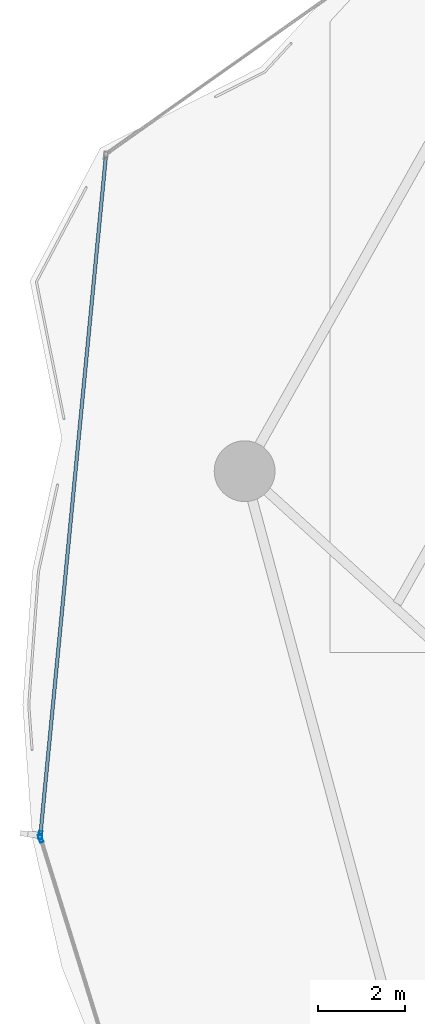
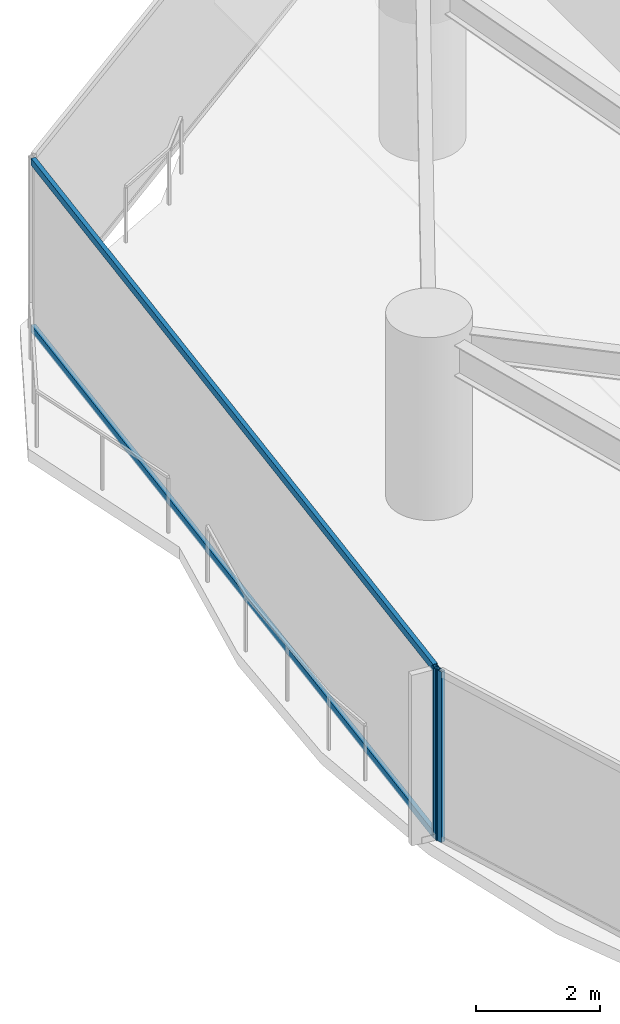
# One storey, part 8 of 31: 4 members, 2 elements without a shape of their own.
"""IFC4 building model written with IfcOpenShell, lengths in metres."""

from ifc_helpers import new_model, si_unit, direction, frame, origin, origin_2d, place, context, subcontext, project, spatial, hollow_rectangle, extrude, material, layer, layer_set, material_profile, profile_set, type_object, element, aggregate, save


model = new_model("IFC4")

# Units and contexts
model_context = context("Model", 3, precision=1e-05, world=origin(), true_north=direction((0.0, 1.0)))
body_context = subcontext(model_context, "Body", "Model", "MODEL_VIEW")
ifc_project = project(units=[si_unit("LENGTHUNIT", "METRE"), si_unit("AREAUNIT", "SQUARE_METRE"), si_unit("VOLUMEUNIT", "CUBIC_METRE"), si_unit("PLANEANGLEUNIT", "RADIAN"), si_unit("MASSUNIT", "GRAM", prefix="KILO")], contexts=[model_context])

# Site, building, storey
site_placement = place(None, origin())
site = spatial("IfcSite", under=ifc_project, at=site_placement, CompositionType="ELEMENT")
building_placement = place(site_placement, origin())
building = spatial("IfcBuilding", under=site, at=building_placement, Name="Kazevale Care Tower and Concert Hall", CompositionType="ELEMENT")
storey_placement = place(building_placement, frame((0.0, 0.0, 63.60009765625)))
storey = spatial("IfcBuildingStorey", under=building, at=storey_placement, Name="L16", CompositionType="ELEMENT", Elevation=63.60009765625)

# Curtain wall, member
ifc_material_1 = material(Name="Aluminium 6063-T6 and Low-E Glass", Category="aluminium")
ifc_layer = layer(ifc_material_1, 0.179931640625)
ifc_layer_set = layer_set([ifc_layer], Name="Aluminium 6063-T6 and Low-E Glass")
curtain_wall_type = type_object("IfcCurtainWallType", Name="Waist & Upper Residential Curtain Wall CW-4", PredefinedType="NOTDEFINED", material=ifc_layer_set)
curtain_wall_1_placement = place(storey_placement, origin())
curtain_wall_1 = element("IfcCurtainWall", 1, at=curtain_wall_1_placement, inside=storey, type_object=curtain_wall_type, Name="cw:L16:f12", PredefinedType="NOTDEFINED")
ifc_material_2 = material(Name="Aluminium 6063-T6", Category="aluminium")
ifc_material_profile_1 = material_profile(ifc_material_2, hollow_rectangle(XDim=0.080078125, YDim=0.179931640625, WallThickness=0.0048828125, at=origin_2d()), Name="ALU80x180x5")
ifc_profile_set_1 = profile_set([ifc_material_profile_1], Name="Aluminium 6063-T6")
member_type_1 = type_object("IfcMemberType", Name="CW-4 Mullion ALU80x180x5", PredefinedType="MULLION", material=ifc_profile_set_1)
member_1_placement = place(storey_placement, frame((9.61572265625, 34.919677734375, 0.0), z_axis=(0.0, 0.0, 1.0), x_axis=(-0.955157326175, -0.296098771112, 0.0)))
member_1 = element("IfcMember", 2, at=member_1_placement, type_object=member_type_1, Name="CW-4 mullion 2", PredefinedType="MULLION", context=body_context, shape_type="SweptSolid", body=[
    extrude(hollow_rectangle(XDim=0.080078125, YDim=0.179931640625, WallThickness=0.0048828125, at=origin_2d()), origin(), (0.0, 0.0, 1.0), 3.35986328125),
])
aggregate(curtain_wall_1, [member_1])

# Curtain wall, members
curtain_wall_2_placement = place(storey_placement, origin())
curtain_wall_2 = element("IfcCurtainWall", 3, at=curtain_wall_2_placement, inside=storey, type_object=curtain_wall_type, Name="cw:L16:f13", PredefinedType="NOTDEFINED")
member_2_placement = place(storey_placement, frame((9.60791015625, 34.997802734375, 0.0), z_axis=(0.0, 0.0, 1.0), x_axis=(-0.995380693067, 0.096006644923, 0.0)))
member_2 = element("IfcMember", 4, at=member_2_placement, type_object=member_type_1, Name="CW-4 mullion 1", PredefinedType="MULLION", context=body_context, shape_type="SweptSolid", body=[
    extrude(hollow_rectangle(XDim=0.080078125, YDim=0.179931640625, WallThickness=0.0048828125, at=origin_2d()), origin(), (0.0, 0.0, 1.0), 3.35986328125),
])
ifc_material_profile_2 = material_profile(ifc_material_2, hollow_rectangle(XDim=0.080078125, YDim=0.139892578125, WallThickness=0.00390625, at=origin_2d()), Name="ALU80x140x4")
ifc_profile_set_2 = profile_set([ifc_material_profile_2], Name="Aluminium 6063-T6")
member_type_2 = type_object("IfcMemberType", Name="CW-4 Transom ALU80x140x4", PredefinedType="USERDEFINED", material=ifc_profile_set_2)
member_3_placement = place(storey_placement, frame((9.611572265625, 35.03759765625, 0.039794921875), z_axis=(0.096010418756, 0.995380329065, 0.0), x_axis=(-0.995380329065, 0.096010418756, 0.0)))
member_3 = element("IfcMember", 5, at=member_3_placement, type_object=member_type_2, Name="CW-4 transom 1.1", ObjectType="TRANSOM", PredefinedType="USERDEFINED", context=body_context, shape_type="SweptSolid", body=[
    extrude(hollow_rectangle(XDim=0.080078125, YDim=0.139892578125, WallThickness=0.00390625, at=origin_2d()), origin(), (0.0, 0.0, 1.0), 15.64111328125),
])
member_4_placement = place(storey_placement, frame((9.611572265625, 35.03759765625, 3.31982421875), z_axis=(0.096010418756, 0.995380329065, 0.0), x_axis=(-0.995380329065, 0.096010418756, 0.0)))
member_4 = element("IfcMember", 6, at=member_4_placement, type_object=member_type_2, Name="CW-4 transom 1.2", ObjectType="TRANSOM", PredefinedType="USERDEFINED", context=body_context, shape_type="SweptSolid", body=[
    extrude(hollow_rectangle(XDim=0.080078125, YDim=0.139892578125, WallThickness=0.00390625, at=origin_2d()), origin(), (0.0, 0.0, 1.0), 15.64111328125),
])
aggregate(curtain_wall_2, [member_2, member_3, member_4])

save(model, "model.ifc")
